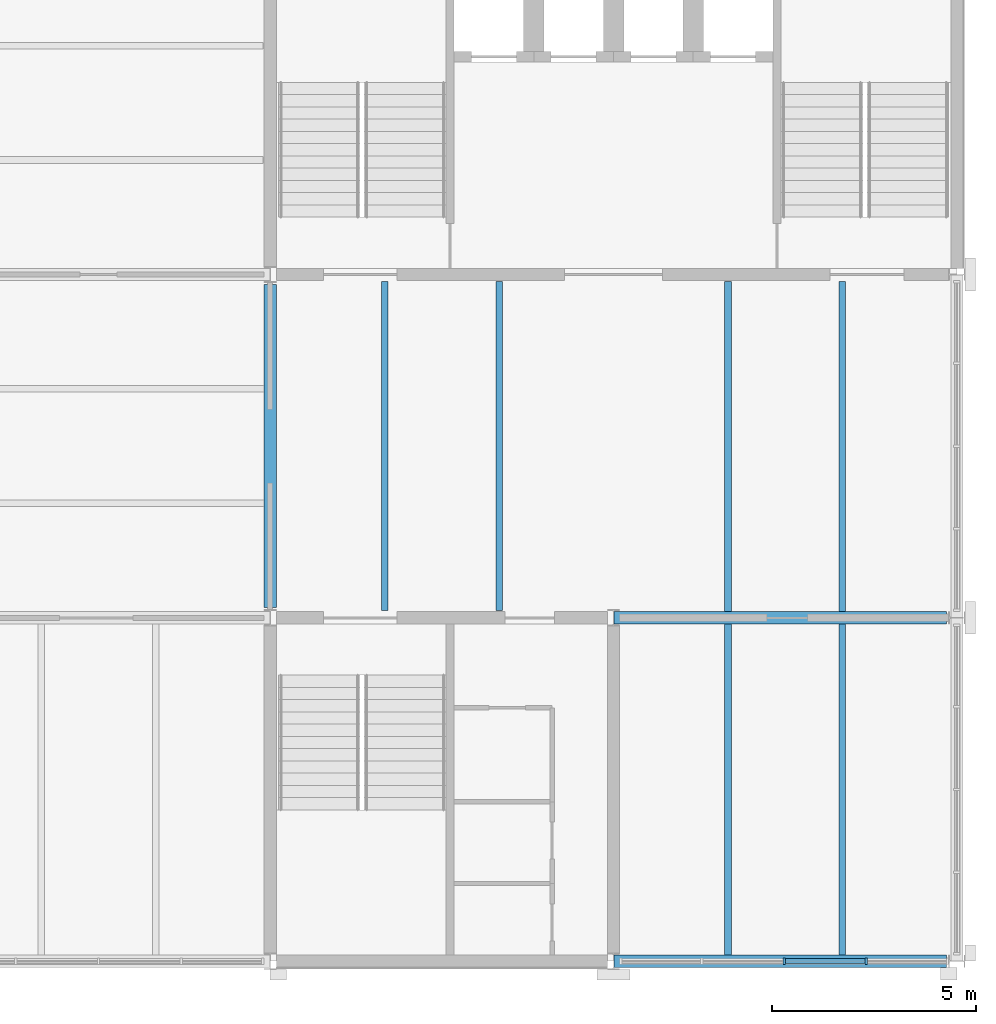
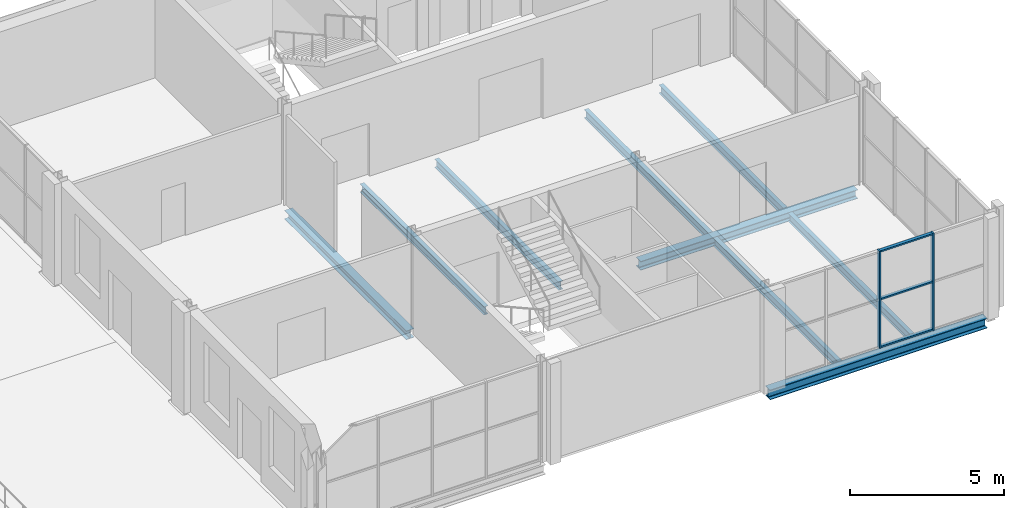
# One storey, part 3 of 9: 9 beams, 5 members, 1 element without a shape of its own.
"""IFC4 building model written with IfcOpenShell, lengths in metres."""

import ifcopenshell
import ifcopenshell.guid

model = None  # the IFC model being written
_history = None  # IfcOwnerHistory: only IFC2X3 demands one
_inside = {}  # id of a spatial element -> (the spatial element, [elements in it])
_under = {}  # id of a project, library or spatial element -> (it, [spatial elements below it])
_declared = {}  # id of a project -> (the project, [libraries it declares])
_typed = {}  # id of a type object -> (the type object, [elements of that type])
_made_of = {}  # id of a material, layer set ... -> (it, [elements and type objects made of it])


def new_model(schema):
    """Start an empty IFC model of exactly this schema.

    Asked for "IFC4X3", IfcOpenShell would pick the latest addendum, in which some entities
    have other attributes; the version numbers below select the first issue.
    IFC2X3 requires an IfcOwnerHistory on every rooted entity: one is made here for all.
    """
    global model, _history
    if schema == "IFC4X3":
        model = ifcopenshell.file(schema_version=(4, 3, 0, 0))
    else:
        model = ifcopenshell.file(schema=schema)
    _inside.clear()
    _under.clear()
    _declared.clear()
    _typed.clear()
    _made_of.clear()
    _history = None
    if model.schema == "IFC2X3":
        org = make("IfcOrganization", Name="unknown")
        user = make(
            "IfcPersonAndOrganization",
            ThePerson=make("IfcPerson", FamilyName="unknown"),
            TheOrganization=org,
        )
        app = make(
            "IfcApplication",
            ApplicationDeveloper=org,
            Version="unknown",
            ApplicationFullName="unknown",
            ApplicationIdentifier="unknown",
        )
        _history = make(
            "IfcOwnerHistory",
            OwningUser=user,
            OwningApplication=app,
            ChangeAction="ADDED",
            CreationDate=0,
        )
    return model


def make(cls, **values):
    """One entity of the class cls with the attributes given. An attribute that is None is left unset."""
    return model.create_entity(
        cls, **{name: value for name, value in values.items() if value is not None}
    )


def rooted(cls, **values):
    """An entity with a GlobalId (a new one), such as an element, a storey or a relation."""
    return make(cls, GlobalId=ifcopenshell.guid.new(), OwnerHistory=_history, **values)


def si_unit(unit_type, name, prefix=None):
    """IfcSIUnit, for example si_unit("LENGTHUNIT", "METRE", prefix="MILLI")."""
    return make("IfcSIUnit", UnitType=unit_type, Prefix=prefix, Name=name)


def assignment(units):
    """IfcUnitAssignment: the units of a project."""
    return None if units is None else make("IfcUnitAssignment", Units=units)


def point(xyz):
    """IfcCartesianPoint."""
    return None if xyz is None else make("IfcCartesianPoint", Coordinates=xyz)


def direction(xyz):
    """IfcDirection."""
    return None if xyz is None else make("IfcDirection", DirectionRatios=xyz)


def frame(location, z_axis=None, x_axis=None):
    """IfcAxis2Placement3D, a coordinate frame: its origin and axes. An axis left out is left unset."""
    return make(
        "IfcAxis2Placement3D",
        Location=point(location),
        Axis=direction(z_axis),
        RefDirection=direction(x_axis),
    )


def frame_2d(location, x_axis=None):
    """IfcAxis2Placement2D, a coordinate frame in the plane: its origin and x axis."""
    return make(
        "IfcAxis2Placement2D", Location=point(location), RefDirection=direction(x_axis)
    )


def origin():
    """The frame at (0, 0, 0) with its axes left unset."""
    return frame((0.0, 0.0, 0.0))


def origin_2d():
    """The frame at (0, 0) in the plane with its x axis left unset."""
    return frame_2d((0.0, 0.0))


def place(relative_to, where):
    """IfcLocalPlacement: puts the frame where relative to a parent placement (None: the world)."""
    return make(
        "IfcLocalPlacement", PlacementRelTo=relative_to, RelativePlacement=where
    )


def context(
    kind, dimensions, precision=None, world=None, true_north=None, identifier=None
):
    """IfcGeometricRepresentationContext, for example the 3D "Model" context."""
    return make(
        "IfcGeometricRepresentationContext",
        ContextIdentifier=identifier,
        ContextType=kind,
        CoordinateSpaceDimension=dimensions,
        Precision=precision,
        WorldCoordinateSystem=world,
        TrueNorth=true_north,
    )


def subcontext(parent, identifier, kind, view, scale=None):
    """IfcGeometricRepresentationSubContext, for example "Body" below "Model"."""
    return make(
        "IfcGeometricRepresentationSubContext",
        ContextIdentifier=identifier,
        ContextType=kind,
        ParentContext=parent,
        TargetScale=scale,
        TargetView=view,
    )


def project(units=None, contexts=None):
    """IfcProject with its units and contexts."""
    return rooted(
        "IfcProject",
        Name="project",
        RepresentationContexts=contexts,
        UnitsInContext=assignment(units),
    )


def spatial(cls, under=None, at=None, **own):
    """A site, building, storey or space (cls), placed at a placement, below another one or the project."""
    s = rooted(cls, ObjectPlacement=at, **own)
    if under is not None:
        _under.setdefault(under.id(), (under, []))[1].append(s)
    return s


def profile(cls, at=None, kind="AREA", **sizes):
    """A parametric profile (cls). Its sizes go by their IFC names, for example OverallWidth=200.0."""
    return make(cls, ProfileType=kind, Position=at, **sizes)


def rectangle(**sizes):
    """IfcRectangleProfileDef."""
    return profile("IfcRectangleProfileDef", **sizes)


def i_section(**sizes):
    """IfcIShapeProfileDef."""
    return profile("IfcIShapeProfileDef", **sizes)


def extrude(swept, where, along, depth):
    """IfcExtrudedAreaSolid: the profile swept, set in the frame where, extruded along a direction by depth."""
    return make(
        "IfcExtrudedAreaSolid",
        SweptArea=swept,
        Position=where,
        ExtrudedDirection=direction(along),
        Depth=depth,
    )


def shape(context_of_items, identifier, shape_type, items):
    """IfcShapeRepresentation: the items that make up one representation, for example the "Body"."""
    return make(
        "IfcShapeRepresentation",
        ContextOfItems=context_of_items,
        RepresentationIdentifier=identifier,
        RepresentationType=shape_type,
        Items=items,
    )


def material(Name=None, Category=None):
    """IfcMaterial."""
    return make("IfcMaterial", Name=Name, Category=Category)


def layer(
    of_material, thickness, ventilated=None, Name=None, Category=None, Priority=None
):
    """IfcMaterialLayer: one layer of a wall or slab, of a material (None: an air gap)."""
    return make(
        "IfcMaterialLayer",
        Material=of_material,
        LayerThickness=thickness,
        IsVentilated=ventilated,
        Name=Name,
        Category=Category,
        Priority=Priority,
    )


def layer_set(layers, Name=None):
    """IfcMaterialLayerSet."""
    return make("IfcMaterialLayerSet", MaterialLayers=layers, LayerSetName=Name)


def material_profile(
    of_material, cross_section, Name=None, Category=None, Priority=None
):
    """IfcMaterialProfile: a cross section and its material."""
    return make(
        "IfcMaterialProfile",
        Name=Name,
        Material=of_material,
        Profile=cross_section,
        Priority=Priority,
        Category=Category,
    )


def profile_set(profiles, Name=None, composite=None):
    """IfcMaterialProfileSet."""
    return make(
        "IfcMaterialProfileSet",
        Name=Name,
        MaterialProfiles=profiles,
        CompositeProfile=composite,
    )


def made_of(thing, what):
    """Note that an element or type object is made of a material, layer set ...; save() writes the relation."""
    if what is not None:
        _made_of.setdefault(what.id(), (what, []))[1].append(thing)
    return thing


def type_object(cls, material=None, **own):
    """A type object (cls), such as IfcWallType, which elements share."""
    return made_of(rooted(cls, **own), material)


def element(
    cls,
    number,
    at=None,
    inside=None,
    cuts=None,
    type_object=None,
    material=None,
    context=None,
    identifier="Body",
    shape_type=None,
    held_by="IfcProductDefinitionShape",
    body=None,
    shapes=None,
    **own,
):
    """One element of the class cls, such as IfcWall. Its Tag is "e" and its number.

    at: its placement. inside: the storey or other place that contains it. cuts: it is an
    opening in that element (IfcRelVoidsElement). A single representation is given by context,
    identifier, shape_type and body (its items); several are given by shapes. held_by: the class
    of the entity that holds the representations. save() writes the other relations.
    """
    e = rooted(cls, Tag="e%d" % number, ObjectPlacement=at, **own)
    if body is not None:
        shapes = [shape(context, identifier, shape_type, body)]
    if shapes is not None:
        e.Representation = make(held_by, Representations=shapes)
    if inside is not None:
        _inside.setdefault(inside.id(), (inside, []))[1].append(e)
    if cuts is not None:
        rooted(
            "IfcRelVoidsElement", RelatingBuildingElement=cuts, RelatedOpeningElement=e
        )
    if type_object is not None:
        _typed.setdefault(type_object.id(), (type_object, []))[1].append(e)
    return made_of(e, material)


def aggregate(whole, parts):
    """IfcRelAggregates: a whole, such as a stair, and the parts it consists of."""
    return rooted("IfcRelAggregates", RelatingObject=whole, RelatedObjects=parts)


def save(model, path):
    """Write the relations noted so far, then the file.

    IfcRelAggregates (storeys below a building ...), IfcRelContainedInSpatialStructure (elements
    in a storey), IfcRelDefinesByType, IfcRelAssociatesMaterial and IfcRelDeclares: one each for
    every whole, place, type object, material and project.
    """
    for whole, parts in _under.values():
        aggregate(whole, parts)
    for where, things in _inside.values():
        rooted(
            "IfcRelContainedInSpatialStructure",
            RelatedElements=things,
            RelatingStructure=where,
        )
    for kind, things in _typed.values():
        rooted("IfcRelDefinesByType", RelatedObjects=things, RelatingType=kind)
    for what, things in _made_of.values():
        rooted("IfcRelAssociatesMaterial", RelatedObjects=things, RelatingMaterial=what)
    for by, libraries in _declared.values():
        rooted("IfcRelDeclares", RelatingContext=by, RelatedDefinitions=libraries)
    model.write(path)


model = new_model("IFC4")

# Units and contexts
model_context = context("Model", 3, precision=1e-05, world=origin(), true_north=direction((0.0, 1.0)))
body_context = subcontext(model_context, "Body", "Model", "MODEL_VIEW")
ifc_project = project(units=[si_unit("LENGTHUNIT", "METRE"), si_unit("AREAUNIT", "SQUARE_METRE"), si_unit("VOLUMEUNIT", "CUBIC_METRE"), si_unit("PLANEANGLEUNIT", "RADIAN"), si_unit("MASSUNIT", "GRAM", prefix="KILO")], contexts=[model_context])

# Site, building, storey
site_placement = place(None, origin())
site = spatial("IfcSite", under=ifc_project, at=site_placement, CompositionType="ELEMENT")
building_placement = place(site_placement, origin())
building = spatial("IfcBuilding", under=site, at=building_placement, Name="Galleria Vessillo Department Store", CompositionType="ELEMENT")
storey_placement = place(building_placement, frame((0.0, 0.0, 47.60009765625)))
storey = spatial("IfcBuildingStorey", under=building, at=storey_placement, Name="L10", CompositionType="ELEMENT", Elevation=47.60009765625)

# Curtain wall, members
ifc_material_1 = material(Name="Aluminium and glass curtain wall", Category="aluminium")
ifc_layer = layer(ifc_material_1, 0.159912109375)
ifc_layer_set = layer_set([ifc_layer], Name="Aluminium and glass curtain wall")
curtain_wall_type = type_object("IfcCurtainWallType", Name="Tower curtain wall CW4 2100 module", PredefinedType="NOTDEFINED", material=ifc_layer_set)
curtain_wall_placement = place(storey_placement, origin())
curtain_wall = element("IfcCurtainWall", 1, at=curtain_wall_placement, inside=storey, type_object=curtain_wall_type, Name="Tower curtain wall CW4 2100 module TS-L10-02", PredefinedType="NOTDEFINED")
ifc_material_2 = material(Name="Aluminium alloy 6063 T6", Category="aluminium")
ifc_material_profile_1 = material_profile(ifc_material_2, rectangle(XDim=0.159912109375, YDim=0.06005859375, at=origin_2d()), Name="AL 60x160")
ifc_profile_set_1 = profile_set([ifc_material_profile_1], Name="Aluminium alloy 6063 T6")
member_type_1 = type_object("IfcMemberType", Name="Aluminium mullion 60 x 160", PredefinedType="MULLION", material=ifc_profile_set_1)
member_1_placement = place(storey_placement, frame((113.375, 37.800048828125, 0.0), z_axis=(0.0, 0.0, 1.0), x_axis=(0.0, 1.0, 0.0)))
member_1 = element("IfcMember", 2, at=member_1_placement, type_object=member_type_1, Name="CW4 mullion 3", PredefinedType="MULLION", context=body_context, shape_type="SweptSolid", body=[
    extrude(rectangle(XDim=0.159912109375, YDim=0.06005859375, at=origin_2d()), origin(), (0.0, 0.0, 1.0), 3.85009765625),
])
member_2_placement = place(storey_placement, frame((115.387451171875, 37.800048828125, 0.0), z_axis=(0.0, 0.0, 1.0), x_axis=(0.0, 1.0, 0.0)))
member_2 = element("IfcMember", 3, at=member_2_placement, type_object=member_type_1, Name="CW4 mullion 4", PredefinedType="MULLION", context=body_context, shape_type="SweptSolid", body=[
    extrude(rectangle(XDim=0.159912109375, YDim=0.06005859375, at=origin_2d()), origin(), (0.0, 0.0, 1.0), 3.85009765625),
])
ifc_material_3 = material(Name="Aluminium alloy 6063 T6", Category="aluminium")
ifc_material_profile_2 = material_profile(ifc_material_3, rectangle(XDim=0.1201171875, YDim=0.06005859375, at=origin_2d()), Name="AL 60x120")
ifc_profile_set_2 = profile_set([ifc_material_profile_2], Name="Aluminium alloy 6063 T6")
member_type_2 = type_object("IfcMemberType", Name="Aluminium transom 60 x 120", PredefinedType="USERDEFINED", material=ifc_profile_set_2)
member_3_placement = place(storey_placement, frame((113.405029296875, 37.800048828125, 0.030029296875), z_axis=(1.0, 0.0, 0.0), x_axis=(0.0, 1.0, 0.0)))
member_3 = element("IfcMember", 4, at=member_3_placement, type_object=member_type_2, Name="CW4 transom 3.1", ObjectType="TRANSOM", PredefinedType="USERDEFINED", context=body_context, shape_type="SweptSolid", body=[
    extrude(rectangle(XDim=0.1201171875, YDim=0.06005859375, at=origin_2d()), origin(), (0.0, 0.0, 1.0), 1.95263671875),
])
member_4_placement = place(storey_placement, frame((113.405029296875, 37.800048828125, 1.925048828125), z_axis=(1.0, 0.0, 0.0), x_axis=(0.0, 1.0, 0.0)))
member_4 = element("IfcMember", 5, at=member_4_placement, type_object=member_type_2, Name="CW4 transom 3.2", ObjectType="TRANSOM", PredefinedType="USERDEFINED", context=body_context, shape_type="SweptSolid", body=[
    extrude(rectangle(XDim=0.1201171875, YDim=0.06005859375, at=origin_2d()), origin(), (0.0, 0.0, 1.0), 1.95263671875),
])
member_5_placement = place(storey_placement, frame((113.405029296875, 37.800048828125, 3.820068359375), z_axis=(1.0, 0.0, 0.0), x_axis=(0.0, 1.0, 0.0)))
member_5 = element("IfcMember", 6, at=member_5_placement, type_object=member_type_2, Name="CW4 transom 3.3", ObjectType="TRANSOM", PredefinedType="USERDEFINED", context=body_context, shape_type="SweptSolid", body=[
    extrude(rectangle(XDim=0.1201171875, YDim=0.06005859375, at=origin_2d()), origin(), (0.0, 0.0, 1.0), 1.95263671875),
])
aggregate(curtain_wall, [member_1, member_2, member_3, member_4, member_5])

# Beams
ifc_material_4 = material(Name="Steel S355 J2", Category="steel")
ifc_material_profile_3 = material_profile(ifc_material_4, i_section(OverallWidth=0.300048828125, OverallDepth=0.35009765625, WebThickness=0.010009765625, FlangeThickness=0.017578125, FilletRadius=0.027099609375, at=origin_2d()), Name="HEA 360")
ifc_profile_set_3 = profile_set([ifc_material_profile_3], Name="Steel S355 J2")
beam_type_1 = type_object("IfcBeamType", Name="Floor girder HEA 360", PredefinedType="BEAM", material=ifc_profile_set_3)
beam_1_placement = place(storey_placement, frame((109.207275390625, 46.199951171875, -0.324951171875), z_axis=(1.0, 0.0, 0.0), x_axis=(0.0, 1.0, 0.0)))
element("IfcBeam", 7, at=beam_1_placement, inside=storey, type_object=beam_type_1, Name="S-BM-L10-GI-x46200-109207", PredefinedType="BEAM", context=body_context, shape_type="SweptSolid", body=[
    extrude(i_section(OverallWidth=0.300048828125, OverallDepth=0.35009765625, WebThickness=0.010009765625, FlangeThickness=0.017578125, FilletRadius=0.027099609375, at=origin_2d()), origin(), (0.0, 0.0, 1.0), 8.142578125),
])
beam_2_placement = place(storey_placement, frame((100.800048828125, 46.4501953125, -0.324951171875), z_axis=(0.0, 1.0, 0.0), x_axis=(-1.0, 0.0, 0.0)))
element("IfcBeam", 8, at=beam_2_placement, inside=storey, type_object=beam_type_1, Name="S-BM-L10-GI-y100800-46450", PredefinedType="BEAM", context=body_context, shape_type="SweptSolid", body=[
    extrude(i_section(OverallWidth=0.300048828125, OverallDepth=0.35009765625, WebThickness=0.010009765625, FlangeThickness=0.017578125, FilletRadius=0.027099609375, at=origin_2d()), origin(), (0.0, 0.0, 1.0), 7.899658203125),
])
ifc_material_5 = material(Name="Steel S355 J2", Category="steel")
ifc_material_profile_4 = material_profile(ifc_material_5, i_section(OverallWidth=0.159912109375, OverallDepth=0.330078125, WebThickness=0.007568359375, FlangeThickness=0.011474609375, FilletRadius=0.01806640625, at=origin_2d()), Name="IPE 330")
ifc_profile_set_4 = profile_set([ifc_material_profile_4], Name="Steel S355 J2")
beam_type_2 = type_object("IfcBeamType", Name="Floor joist IPE 330", PredefinedType="JOIST", material=ifc_profile_set_4)
for number, where, z_axis, x_axis, name in (
    (9, (103.60009765625, 46.375244140625, -0.31494140625), (0.0, 1.0, 0.0), (-1.0, 0.0, 0.0), "S-BM-L10-JO-y103600-46375"),
    (10, (106.39990234375, 46.375244140625, -0.31494140625), (0.0, 1.0, 0.0), (-1.0, 0.0, 0.0), "S-BM-L10-JO-y106400-46375"),
):
    element("IfcBeam", number, at=place(storey_placement, frame(where, z_axis=z_axis, x_axis=x_axis)), inside=storey, type_object=beam_type_2, Name=name, PredefinedType="JOIST", context=body_context, shape_type="SweptSolid", body=[
        extrude(i_section(OverallWidth=0.159912109375, OverallDepth=0.330078125, WebThickness=0.007568359375, FlangeThickness=0.011474609375, FilletRadius=0.01806640625, at=origin_2d()), origin(), (0.0, 0.0, 1.0), 8.049560546875),
    ])
for number, where, z_axis, x_axis, name in (
    (11, (112.0, 37.9501953125, -0.31494140625), (0.0, 1.0, 0.0), (-1.0, 0.0, 0.0), "S-BM-L10-JO-y112000-37950"),
    (12, (114.800048828125, 37.9501953125, -0.31494140625), (0.0, 1.0, 0.0), (-1.0, 0.0, 0.0), "S-BM-L10-JO-y114800-37950"),
):
    element("IfcBeam", number, at=place(storey_placement, frame(where, z_axis=z_axis, x_axis=x_axis)), inside=storey, type_object=beam_type_2, Name=name, PredefinedType="JOIST", context=body_context, shape_type="SweptSolid", body=[
        extrude(i_section(OverallWidth=0.159912109375, OverallDepth=0.330078125, WebThickness=0.007568359375, FlangeThickness=0.011474609375, FilletRadius=0.01806640625, at=origin_2d()), origin(), (0.0, 0.0, 1.0), 8.099609375),
    ])
for number, where, z_axis, x_axis, name in (
    (13, (112.0, 46.35009765625, -0.31494140625), (0.0, 1.0, 0.0), (-1.0, 0.0, 0.0), "S-BM-L10-JO-y112000-46350"),
    (14, (114.800048828125, 46.35009765625, -0.31494140625), (0.0, 1.0, 0.0), (-1.0, 0.0, 0.0), "S-BM-L10-JO-y114800-46350"),
):
    element("IfcBeam", number, at=place(storey_placement, frame(where, z_axis=z_axis, x_axis=x_axis)), inside=storey, type_object=beam_type_2, Name=name, PredefinedType="JOIST", context=body_context, shape_type="SweptSolid", body=[
        extrude(i_section(OverallWidth=0.159912109375, OverallDepth=0.330078125, WebThickness=0.007568359375, FlangeThickness=0.011474609375, FilletRadius=0.01806640625, at=origin_2d()), origin(), (0.0, 0.0, 1.0), 8.07470703125),
    ])
ifc_material_6 = material(Name="Steel S355 J2", Category="steel")
ifc_material_profile_5 = material_profile(ifc_material_6, i_section(OverallWidth=0.300048828125, OverallDepth=0.389892578125, WebThickness=0.010986328125, FlangeThickness=0.01904296875, FilletRadius=0.027099609375, at=origin_2d()), Name="HEA 400")
ifc_profile_set_5 = profile_set([ifc_material_profile_5], Name="Steel S355 J2")
beam_type_3 = type_object("IfcBeamType", Name="Trimmer beam HEA 400", PredefinedType="BEAM", material=ifc_profile_set_5)
beam_3_placement = place(storey_placement, frame((109.207275390625, 37.800048828125, -0.344970703125), z_axis=(1.0, 0.0, 0.0), x_axis=(0.0, 1.0, 0.0)))
element("IfcBeam", 15, at=beam_3_placement, inside=storey, type_object=beam_type_3, Name="S-BM-L10-TR-x37800-109207", PredefinedType="BEAM", context=body_context, shape_type="SweptSolid", body=[
    extrude(i_section(OverallWidth=0.300048828125, OverallDepth=0.389892578125, WebThickness=0.010986328125, FlangeThickness=0.01904296875, FilletRadius=0.027099609375, at=origin_2d()), origin(), (0.0, 0.0, 1.0), 8.142578125),
])

save(model, "model.ifc")
